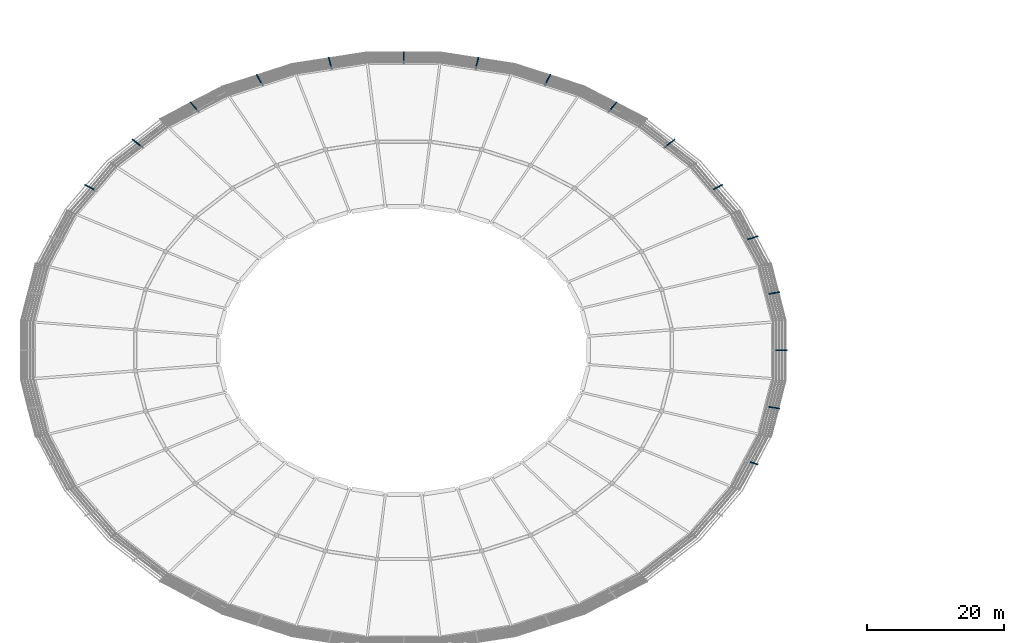
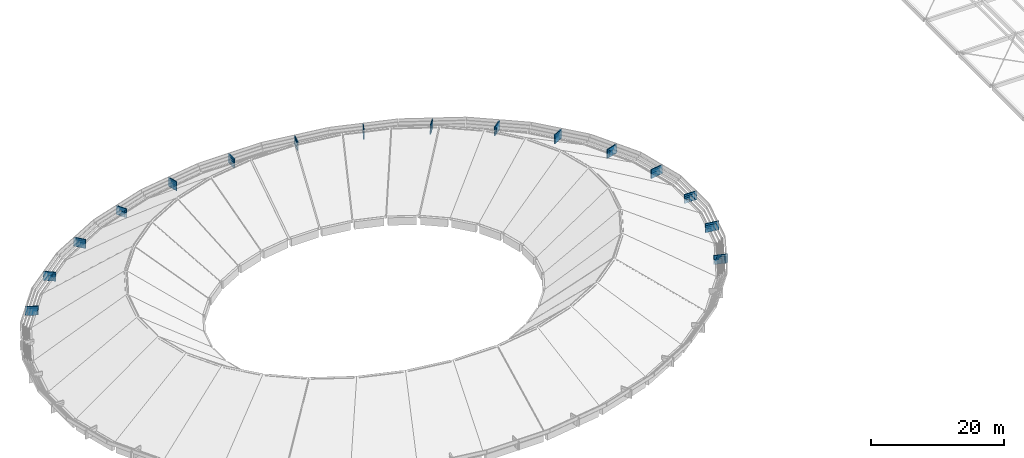
# One storey, part 11 of 15: 63 discrete accessories.
"""IFC4 building model written with IfcOpenShell, lengths in metres."""

from ifc_helpers import new_model, si_unit, direction, frame, origin, origin_2d, place, context, subcontext, project, spatial, rectangle, extrude, material, type_object, element, save


model = new_model("IFC4")

# Units and contexts
model_context = context("Model", 3, precision=1e-05, world=origin(), true_north=direction((0.0, 1.0)))
body_context = subcontext(model_context, "Body", "Model", "MODEL_VIEW")
ifc_project = project(units=[si_unit("LENGTHUNIT", "METRE"), si_unit("AREAUNIT", "SQUARE_METRE"), si_unit("VOLUMEUNIT", "CUBIC_METRE"), si_unit("PLANEANGLEUNIT", "RADIAN"), si_unit("MASSUNIT", "GRAM", prefix="KILO")], contexts=[model_context])

# Site, building, storey
site_placement = place(None, origin())
site = spatial("IfcSite", under=ifc_project, at=site_placement, CompositionType="ELEMENT")
building_placement = place(site_placement, origin())
building = spatial("IfcBuilding", under=site, at=building_placement, Name="Corvandel Quay Wholesale Market", CompositionType="ELEMENT")
storey_placement = place(building_placement, frame((0.0, 0.0, 19.199951171875)))
storey = spatial("IfcBuildingStorey", under=building, at=storey_placement, Name="RF", CompositionType="ELEMENT", Elevation=19.199951171875)

# Discrete accessories
ifc_material = material(Name="Austenitic stainless steel Grade 316", Category="steel")
discrete_accessory_type = type_object("IfcDiscreteAccessoryType", Name="Stainless Solar Fin Fixing Bracket BRK01", PredefinedType="USERDEFINED", material=ifc_material)
discrete_accessory_1_placement = place(storey_placement, frame((167.194091796875, 50.229736328125, -4.85009765625), z_axis=(0.0, 0.0, 1.0), x_axis=(0.98825506746, 0.152813355565, 0.0)))
element("IfcDiscreteAccessory", 1, at=discrete_accessory_1_placement, inside=storey, type_object=discrete_accessory_type, Name="Fascia Outrigger Bracket 0290", ObjectType="BRACKET", PredefinedType="USERDEFINED", context=body_context, shape_type="SweptSolid", body=[
    extrude(rectangle(XDim=0.868896484375, YDim=0.159912109375, at=origin_2d()), origin(), (0.0, 0.0, 1.0), 0.6201171875),
])
discrete_accessory_2_placement = place(storey_placement, frame((164.10791015625, 58.14306640625, -4.85009765625), z_axis=(0.0, 0.0, 1.0), x_axis=(0.951487058208, 0.307688768178, 0.0)))
element("IfcDiscreteAccessory", 2, at=discrete_accessory_2_placement, inside=storey, type_object=discrete_accessory_type, Name="Fascia Outrigger Bracket 0291", ObjectType="BRACKET", PredefinedType="USERDEFINED", context=body_context, shape_type="SweptSolid", body=[
    extrude(rectangle(XDim=0.85888671875, YDim=0.159912109375, at=origin_2d()), origin(), (0.0, 0.0, 1.0), 0.6201171875),
])
discrete_accessory_3_placement = place(storey_placement, frame((159.0966796875, 65.4365234375, -4.85009765625), z_axis=(0.0, 0.0, 1.0), x_axis=(0.886365246062, 0.462986663495, 0.0)))
element("IfcDiscreteAccessory", 3, at=discrete_accessory_3_placement, inside=storey, type_object=discrete_accessory_type, Name="Fascia Outrigger Bracket 0292", ObjectType="BRACKET", PredefinedType="USERDEFINED", context=body_context, shape_type="SweptSolid", body=[
    extrude(rectangle(XDim=0.844970703125, YDim=0.159912109375, at=origin_2d()), origin(), (0.0, 0.0, 1.0), 0.6201171875),
])
discrete_accessory_4_placement = place(storey_placement, frame((152.352294921875, 71.829833984375, -4.85009765625), z_axis=(0.0, 0.0, 1.0), x_axis=(0.788333005168, 0.615248789485, 0.0)))
element("IfcDiscreteAccessory", 4, at=discrete_accessory_4_placement, inside=storey, type_object=discrete_accessory_type, Name="Fascia Outrigger Bracket 0293", ObjectType="BRACKET", PredefinedType="USERDEFINED", context=body_context, shape_type="SweptSolid", body=[
    extrude(rectangle(XDim=0.826904296875, YDim=0.159912109375, at=origin_2d()), origin(), (0.0, 0.0, 1.0), 0.6201171875),
])
discrete_accessory_5_placement = place(storey_placement, frame((144.1337890625, 77.076904296875, -4.85009765625), z_axis=(0.0, 0.0, 1.0), x_axis=(0.650641689512, 0.759384877298, 0.0)))
element("IfcDiscreteAccessory", 5, at=discrete_accessory_5_placement, inside=storey, type_object=discrete_accessory_type, Name="Fascia Outrigger Bracket 0294", ObjectType="BRACKET", PredefinedType="USERDEFINED", context=body_context, shape_type="SweptSolid", body=[
    extrude(rectangle(XDim=0.80810546875, YDim=0.159912109375, at=origin_2d()), origin(), (0.0, 0.0, 1.0), 0.6201171875),
])
discrete_accessory_6_placement = place(storey_placement, frame((134.757080078125, 80.97607421875, -4.85009765625), z_axis=(0.0, 0.0, 1.0), x_axis=(0.46931745221, 0.883029517656, 0.0)))
element("IfcDiscreteAccessory", 6, at=discrete_accessory_6_placement, inside=storey, type_object=discrete_accessory_type, Name="Fascia Outrigger Bracket 0295", ObjectType="BRACKET", PredefinedType="USERDEFINED", context=body_context, shape_type="SweptSolid", body=[
    extrude(rectangle(XDim=0.7919921875, YDim=0.159912109375, at=origin_2d()), origin(), (0.0, 0.0, 1.0), 0.6201171875),
])
discrete_accessory_7_placement = place(storey_placement, frame((124.581787109375, 83.377197265625, -4.85009765625), z_axis=(0.0, 0.0, 1.0), x_axis=(0.246999012723, 0.969015731407, 0.0)))
element("IfcDiscreteAccessory", 7, at=discrete_accessory_7_placement, inside=storey, type_object=discrete_accessory_type, Name="Fascia Outrigger Bracket 0296", ObjectType="BRACKET", PredefinedType="USERDEFINED", context=body_context, shape_type="SweptSolid", body=[
    extrude(rectangle(XDim=0.780029296875, YDim=0.159912109375, at=origin_2d()), origin(), (0.0, 0.0, 1.0), 0.6201171875),
])
discrete_accessory_8_placement = place(storey_placement, frame((114.0, 84.18798828125, -4.85009765625), z_axis=(0.0, 0.0, 1.0), x_axis=(0.0, 1.0, 0.0)))
element("IfcDiscreteAccessory", 8, at=discrete_accessory_8_placement, inside=storey, type_object=discrete_accessory_type, Name="Fascia Outrigger Bracket 0297", ObjectType="BRACKET", PredefinedType="USERDEFINED", context=body_context, shape_type="SweptSolid", body=[
    extrude(rectangle(XDim=0.77587890625, YDim=0.159912109375, at=origin_2d()), origin(), (0.0, 0.0, 1.0), 0.6201171875),
])
discrete_accessory_9_placement = place(storey_placement, frame((103.418212890625, 83.377197265625, -4.85009765625), z_axis=(0.0, 0.0, 1.0), x_axis=(-0.246999012723, 0.969015731407, 0.0)))
element("IfcDiscreteAccessory", 9, at=discrete_accessory_9_placement, inside=storey, type_object=discrete_accessory_type, Name="Fascia Outrigger Bracket 0298", ObjectType="BRACKET", PredefinedType="USERDEFINED", context=body_context, shape_type="SweptSolid", body=[
    extrude(rectangle(XDim=0.780029296875, YDim=0.159912109375, at=origin_2d()), origin(), (0.0, 0.0, 1.0), 0.6201171875),
])
discrete_accessory_10_placement = place(storey_placement, frame((93.242919921875, 80.97607421875, -4.85009765625), z_axis=(0.0, 0.0, 1.0), x_axis=(-0.46931745221, 0.883029517656, 0.0)))
element("IfcDiscreteAccessory", 10, at=discrete_accessory_10_placement, inside=storey, type_object=discrete_accessory_type, Name="Fascia Outrigger Bracket 0299", ObjectType="BRACKET", PredefinedType="USERDEFINED", context=body_context, shape_type="SweptSolid", body=[
    extrude(rectangle(XDim=0.7919921875, YDim=0.159912109375, at=origin_2d()), origin(), (0.0, 0.0, 1.0), 0.6201171875),
])
discrete_accessory_11_placement = place(storey_placement, frame((83.8662109375, 77.076904296875, -4.85009765625), z_axis=(0.0, 0.0, 1.0), x_axis=(-0.650641689512, 0.759384877298, 0.0)))
element("IfcDiscreteAccessory", 11, at=discrete_accessory_11_placement, inside=storey, type_object=discrete_accessory_type, Name="Fascia Outrigger Bracket 0300", ObjectType="BRACKET", PredefinedType="USERDEFINED", context=body_context, shape_type="SweptSolid", body=[
    extrude(rectangle(XDim=0.80810546875, YDim=0.159912109375, at=origin_2d()), origin(), (0.0, 0.0, 1.0), 0.6201171875),
])
discrete_accessory_12_placement = place(storey_placement, frame((75.647705078125, 71.829833984375, -4.85009765625), z_axis=(0.0, 0.0, 1.0), x_axis=(-0.788333005168, 0.615248789485, 0.0)))
element("IfcDiscreteAccessory", 12, at=discrete_accessory_12_placement, inside=storey, type_object=discrete_accessory_type, Name="Fascia Outrigger Bracket 0301", ObjectType="BRACKET", PredefinedType="USERDEFINED", context=body_context, shape_type="SweptSolid", body=[
    extrude(rectangle(XDim=0.826904296875, YDim=0.159912109375, at=origin_2d()), origin(), (0.0, 0.0, 1.0), 0.6201171875),
])
discrete_accessory_13_placement = place(storey_placement, frame((68.9033203125, 65.4365234375, -4.85009765625), z_axis=(0.0, 0.0, 1.0), x_axis=(-0.886365246062, 0.462986663495, 0.0)))
element("IfcDiscreteAccessory", 13, at=discrete_accessory_13_placement, inside=storey, type_object=discrete_accessory_type, Name="Fascia Outrigger Bracket 0302", ObjectType="BRACKET", PredefinedType="USERDEFINED", context=body_context, shape_type="SweptSolid", body=[
    extrude(rectangle(XDim=0.844970703125, YDim=0.159912109375, at=origin_2d()), origin(), (0.0, 0.0, 1.0), 0.6201171875),
])
discrete_accessory_14_placement = place(storey_placement, frame((167.194091796875, 33.770263671875, -4.85009765625), z_axis=(0.0, 0.0, 1.0), x_axis=(-0.98825506746, 0.152813355565, 0.0)))
element("IfcDiscreteAccessory", 14, at=discrete_accessory_14_placement, inside=storey, type_object=discrete_accessory_type, Name="Fascia Outrigger Bracket 0320", ObjectType="BRACKET", PredefinedType="USERDEFINED", context=body_context, shape_type="SweptSolid", body=[
    extrude(rectangle(XDim=0.868896484375, YDim=0.159912109375, at=origin_2d()), origin(), (0.0, 0.0, 1.0), 0.6201171875),
])
discrete_accessory_15_placement = place(storey_placement, frame((168.236083984375, 42.0, -4.85009765625), z_axis=(0.0, 0.0, 1.0), x_axis=(1.0, 0.0, 0.0)))
element("IfcDiscreteAccessory", 15, at=discrete_accessory_15_placement, inside=storey, type_object=discrete_accessory_type, Name="Fascia Outrigger Bracket 0321", ObjectType="BRACKET", PredefinedType="USERDEFINED", context=body_context, shape_type="SweptSolid", body=[
    extrude(rectangle(XDim=0.8720703125, YDim=0.159912109375, at=origin_2d()), origin(), (0.0, 0.0, 1.0), 0.6201171875),
])
discrete_accessory_16_placement = place(storey_placement, frame((167.40625, 50.2626953125, -4.849853515625), z_axis=(0.0, 0.0, 1.0), x_axis=(0.98825506746, 0.152813355565, 0.0)))
element("IfcDiscreteAccessory", 16, at=discrete_accessory_16_placement, inside=storey, type_object=discrete_accessory_type, Name="Fascia Outrigger Bracket 0322", ObjectType="BRACKET", PredefinedType="USERDEFINED", context=body_context, shape_type="SweptSolid", body=[
    extrude(rectangle(XDim=1.298095703125, YDim=0.159912109375, at=origin_2d()), origin(), (0.0, 0.0, 1.0), 0.9599609375),
])
discrete_accessory_17_placement = place(storey_placement, frame((164.307861328125, 58.20751953125, -4.849853515625), z_axis=(0.0, 0.0, 1.0), x_axis=(0.951755204978, 0.306858322026, 0.0)))
element("IfcDiscreteAccessory", 17, at=discrete_accessory_17_placement, inside=storey, type_object=discrete_accessory_type, Name="Fascia Outrigger Bracket 0323", ObjectType="BRACKET", PredefinedType="USERDEFINED", context=body_context, shape_type="SweptSolid", body=[
    extrude(rectangle(XDim=1.279052734375, YDim=0.159912109375, at=origin_2d()), origin(), (0.0, 0.0, 1.0), 0.9599609375),
])
discrete_accessory_18_placement = place(storey_placement, frame((159.276611328125, 65.52978515625, -4.849853515625), z_axis=(0.0, 0.0, 1.0), x_axis=(0.887010833178, 0.461748613235, 0.0)))
element("IfcDiscreteAccessory", 18, at=discrete_accessory_18_placement, inside=storey, type_object=discrete_accessory_type, Name="Fascia Outrigger Bracket 0324", ObjectType="BRACKET", PredefinedType="USERDEFINED", context=body_context, shape_type="SweptSolid", body=[
    extrude(rectangle(XDim=1.25, YDim=0.159912109375, at=origin_2d()), origin(), (0.0, 0.0, 1.0), 0.9599609375),
])
discrete_accessory_19_placement = place(storey_placement, frame((152.505126953125, 71.948486328125, -4.849853515625), z_axis=(0.0, 0.0, 1.0), x_axis=(0.789191285809, 0.61414746959, 0.0)))
element("IfcDiscreteAccessory", 19, at=discrete_accessory_19_placement, inside=storey, type_object=discrete_accessory_type, Name="Fascia Outrigger Bracket 0325", ObjectType="BRACKET", PredefinedType="USERDEFINED", context=body_context, shape_type="SweptSolid", body=[
    extrude(rectangle(XDim=1.214111328125, YDim=0.159912109375, at=origin_2d()), origin(), (0.0, 0.0, 1.0), 0.9599609375),
])
discrete_accessory_20_placement = place(storey_placement, frame((144.25390625, 77.21630859375, -4.849853515625), z_axis=(0.0, 0.0, 1.0), x_axis=(0.651833725301, 0.758361915289, 0.0)))
element("IfcDiscreteAccessory", 20, at=discrete_accessory_20_placement, inside=storey, type_object=discrete_accessory_type, Name="Fascia Outrigger Bracket 0326", ObjectType="BRACKET", PredefinedType="USERDEFINED", context=body_context, shape_type="SweptSolid", body=[
    extrude(rectangle(XDim=1.176025390625, YDim=0.159912109375, at=origin_2d()), origin(), (0.0, 0.0, 1.0), 0.9599609375),
])
discrete_accessory_21_placement = place(storey_placement, frame((134.839599609375, 81.130859375, -4.849853515625), z_axis=(0.0, 0.0, 1.0), x_axis=(0.470087862033, 0.882619624736, 0.0)))
element("IfcDiscreteAccessory", 21, at=discrete_accessory_21_placement, inside=storey, type_object=discrete_accessory_type, Name="Fascia Outrigger Bracket 0327", ObjectType="BRACKET", PredefinedType="USERDEFINED", context=body_context, shape_type="SweptSolid", body=[
    extrude(rectangle(XDim=1.14306640625, YDim=0.159912109375, at=origin_2d()), origin(), (0.0, 0.0, 1.0), 0.9599609375),
])
discrete_accessory_22_placement = place(storey_placement, frame((124.624267578125, 83.541748046875, -4.849853515625), z_axis=(0.0, 0.0, 1.0), x_axis=(0.247675453076, 0.968843057437, 0.0)))
element("IfcDiscreteAccessory", 22, at=discrete_accessory_22_placement, inside=storey, type_object=discrete_accessory_type, Name="Fascia Outrigger Bracket 0328", ObjectType="BRACKET", PredefinedType="USERDEFINED", context=body_context, shape_type="SweptSolid", body=[
    extrude(rectangle(XDim=1.1201171875, YDim=0.159912109375, at=origin_2d()), origin(), (0.0, 0.0, 1.0), 0.9599609375),
])
discrete_accessory_23_placement = place(storey_placement, frame((114.0, 84.35595703125, -4.849853515625), z_axis=(0.0, 0.0, 1.0), x_axis=(0.0, 1.0, 0.0)))
element("IfcDiscreteAccessory", 23, at=discrete_accessory_23_placement, inside=storey, type_object=discrete_accessory_type, Name="Fascia Outrigger Bracket 0329", ObjectType="BRACKET", PredefinedType="USERDEFINED", context=body_context, shape_type="SweptSolid", body=[
    extrude(rectangle(XDim=1.112060546875, YDim=0.159912109375, at=origin_2d()), origin(), (0.0, 0.0, 1.0), 0.9599609375),
])
discrete_accessory_24_placement = place(storey_placement, frame((103.375732421875, 83.541748046875, -4.849853515625), z_axis=(0.0, 0.0, 1.0), x_axis=(-0.247675453076, 0.968843057437, 0.0)))
element("IfcDiscreteAccessory", 24, at=discrete_accessory_24_placement, inside=storey, type_object=discrete_accessory_type, Name="Fascia Outrigger Bracket 0330", ObjectType="BRACKET", PredefinedType="USERDEFINED", context=body_context, shape_type="SweptSolid", body=[
    extrude(rectangle(XDim=1.1201171875, YDim=0.159912109375, at=origin_2d()), origin(), (0.0, 0.0, 1.0), 0.9599609375),
])
discrete_accessory_25_placement = place(storey_placement, frame((93.160400390625, 81.130859375, -4.849853515625), z_axis=(0.0, 0.0, 1.0), x_axis=(-0.470087862033, 0.882619624736, 0.0)))
element("IfcDiscreteAccessory", 25, at=discrete_accessory_25_placement, inside=storey, type_object=discrete_accessory_type, Name="Fascia Outrigger Bracket 0331", ObjectType="BRACKET", PredefinedType="USERDEFINED", context=body_context, shape_type="SweptSolid", body=[
    extrude(rectangle(XDim=1.14306640625, YDim=0.159912109375, at=origin_2d()), origin(), (0.0, 0.0, 1.0), 0.9599609375),
])
discrete_accessory_26_placement = place(storey_placement, frame((83.74609375, 77.21630859375, -4.849853515625), z_axis=(0.0, 0.0, 1.0), x_axis=(-0.651833725301, 0.758361915289, 0.0)))
element("IfcDiscreteAccessory", 26, at=discrete_accessory_26_placement, inside=storey, type_object=discrete_accessory_type, Name="Fascia Outrigger Bracket 0332", ObjectType="BRACKET", PredefinedType="USERDEFINED", context=body_context, shape_type="SweptSolid", body=[
    extrude(rectangle(XDim=1.176025390625, YDim=0.159912109375, at=origin_2d()), origin(), (0.0, 0.0, 1.0), 0.9599609375),
])
discrete_accessory_27_placement = place(storey_placement, frame((75.494873046875, 71.948486328125, -4.849853515625), z_axis=(0.0, 0.0, 1.0), x_axis=(-0.789191285809, 0.61414746959, 0.0)))
element("IfcDiscreteAccessory", 27, at=discrete_accessory_27_placement, inside=storey, type_object=discrete_accessory_type, Name="Fascia Outrigger Bracket 0333", ObjectType="BRACKET", PredefinedType="USERDEFINED", context=body_context, shape_type="SweptSolid", body=[
    extrude(rectangle(XDim=1.214111328125, YDim=0.159912109375, at=origin_2d()), origin(), (0.0, 0.0, 1.0), 0.9599609375),
])
discrete_accessory_28_placement = place(storey_placement, frame((68.723388671875, 65.52978515625, -4.849853515625), z_axis=(0.0, 0.0, 1.0), x_axis=(-0.887010833178, 0.461748613235, 0.0)))
element("IfcDiscreteAccessory", 28, at=discrete_accessory_28_placement, inside=storey, type_object=discrete_accessory_type, Name="Fascia Outrigger Bracket 0334", ObjectType="BRACKET", PredefinedType="USERDEFINED", context=body_context, shape_type="SweptSolid", body=[
    extrude(rectangle(XDim=1.25, YDim=0.159912109375, at=origin_2d()), origin(), (0.0, 0.0, 1.0), 0.9599609375),
])
discrete_accessory_29_placement = place(storey_placement, frame((164.307861328125, 25.79248046875, -4.849853515625), z_axis=(0.0, 0.0, 1.0), x_axis=(-0.951755204978, 0.306858322026, 0.0)))
element("IfcDiscreteAccessory", 29, at=discrete_accessory_29_placement, inside=storey, type_object=discrete_accessory_type, Name="Fascia Outrigger Bracket 0351", ObjectType="BRACKET", PredefinedType="USERDEFINED", context=body_context, shape_type="SweptSolid", body=[
    extrude(rectangle(XDim=1.279052734375, YDim=0.159912109375, at=origin_2d()), origin(), (0.0, 0.0, 1.0), 0.9599609375),
])
discrete_accessory_30_placement = place(storey_placement, frame((167.40625, 33.7373046875, -4.849853515625), z_axis=(0.0, 0.0, 1.0), x_axis=(-0.98825506746, 0.152813355565, 0.0)))
element("IfcDiscreteAccessory", 30, at=discrete_accessory_30_placement, inside=storey, type_object=discrete_accessory_type, Name="Fascia Outrigger Bracket 0352", ObjectType="BRACKET", PredefinedType="USERDEFINED", context=body_context, shape_type="SweptSolid", body=[
    extrude(rectangle(XDim=1.298095703125, YDim=0.159912109375, at=origin_2d()), origin(), (0.0, 0.0, 1.0), 0.9599609375),
])
discrete_accessory_31_placement = place(storey_placement, frame((168.451904296875, 42.0, -4.849853515625), z_axis=(0.0, 0.0, 1.0), x_axis=(1.0, 0.0, 0.0)))
element("IfcDiscreteAccessory", 31, at=discrete_accessory_31_placement, inside=storey, type_object=discrete_accessory_type, Name="Fascia Outrigger Bracket 0353", ObjectType="BRACKET", PredefinedType="USERDEFINED", context=body_context, shape_type="SweptSolid", body=[
    extrude(rectangle(XDim=1.303955078125, YDim=0.159912109375, at=origin_2d()), origin(), (0.0, 0.0, 1.0), 0.9599609375),
])
discrete_accessory_32_placement = place(storey_placement, frame((167.61767578125, 50.29541015625, -4.85009765625), z_axis=(0.0, 0.0, 1.0), x_axis=(0.98825506746, 0.152813355565, 0.0)))
element("IfcDiscreteAccessory", 32, at=discrete_accessory_32_placement, inside=storey, type_object=discrete_accessory_type, Name="Fascia Outrigger Bracket 0354", ObjectType="BRACKET", PredefinedType="USERDEFINED", context=body_context, shape_type="SweptSolid", body=[
    extrude(rectangle(XDim=1.72607421875, YDim=0.159912109375, at=origin_2d()), origin(), (0.0, 0.0, 1.0), 1.300048828125),
])
discrete_accessory_33_placement = place(storey_placement, frame((164.507080078125, 58.271484375, -4.85009765625), z_axis=(0.0, 0.0, 1.0), x_axis=(0.951755204978, 0.306858322026, 0.0)))
element("IfcDiscreteAccessory", 33, at=discrete_accessory_33_placement, inside=storey, type_object=discrete_accessory_type, Name="Fascia Outrigger Bracket 0355", ObjectType="BRACKET", PredefinedType="USERDEFINED", context=body_context, shape_type="SweptSolid", body=[
    extrude(rectangle(XDim=1.697998046875, YDim=0.159912109375, at=origin_2d()), origin(), (0.0, 0.0, 1.0), 1.300048828125),
])
discrete_accessory_34_placement = place(storey_placement, frame((159.456298828125, 65.623046875, -4.85009765625), z_axis=(0.0, 0.0, 1.0), x_axis=(0.887171959808, 0.461438959919, 0.0)))
element("IfcDiscreteAccessory", 34, at=discrete_accessory_34_placement, inside=storey, type_object=discrete_accessory_type, Name="Fascia Outrigger Bracket 0356", ObjectType="BRACKET", PredefinedType="USERDEFINED", context=body_context, shape_type="SweptSolid", body=[
    extrude(rectangle(XDim=1.655029296875, YDim=0.159912109375, at=origin_2d()), origin(), (0.0, 0.0, 1.0), 1.300048828125),
])
discrete_accessory_35_placement = place(storey_placement, frame((152.65771484375, 72.06689453125, -4.85009765625), z_axis=(0.0, 0.0, 1.0), x_axis=(0.789298462742, 0.614009720373, 0.0)))
element("IfcDiscreteAccessory", 35, at=discrete_accessory_35_placement, inside=storey, type_object=discrete_accessory_type, Name="Fascia Outrigger Bracket 0357", ObjectType="BRACKET", PredefinedType="USERDEFINED", context=body_context, shape_type="SweptSolid", body=[
    extrude(rectangle(XDim=1.60009765625, YDim=0.159912109375, at=origin_2d()), origin(), (0.0, 0.0, 1.0), 1.300048828125),
])
discrete_accessory_36_placement = place(storey_placement, frame((144.373779296875, 77.35595703125, -4.85009765625), z_axis=(0.0, 0.0, 1.0), x_axis=(0.65170135625, 0.758475670184, 0.0)))
element("IfcDiscreteAccessory", 36, at=discrete_accessory_36_placement, inside=storey, type_object=discrete_accessory_type, Name="Fascia Outrigger Bracket 0358", ObjectType="BRACKET", PredefinedType="USERDEFINED", context=body_context, shape_type="SweptSolid", body=[
    extrude(rectangle(XDim=1.5439453125, YDim=0.159912109375, at=origin_2d()), origin(), (0.0, 0.0, 1.0), 1.300048828125),
])
discrete_accessory_37_placement = place(storey_placement, frame((134.922119140625, 81.286376953125, -4.85009765625), z_axis=(0.0, 0.0, 1.0), x_axis=(0.46977974103, 0.88278366258, 0.0)))
element("IfcDiscreteAccessory", 37, at=discrete_accessory_37_placement, inside=storey, type_object=discrete_accessory_type, Name="Fascia Outrigger Bracket 0359", ObjectType="BRACKET", PredefinedType="USERDEFINED", context=body_context, shape_type="SweptSolid", body=[
    extrude(rectangle(XDim=1.4951171875, YDim=0.159912109375, at=origin_2d()), origin(), (0.0, 0.0, 1.0), 1.300048828125),
])
discrete_accessory_38_placement = place(storey_placement, frame((124.666259765625, 83.70654296875, -4.85009765625), z_axis=(0.0, 0.0, 1.0), x_axis=(0.247506354292, 0.968886270202, 0.0)))
element("IfcDiscreteAccessory", 38, at=discrete_accessory_38_placement, inside=storey, type_object=discrete_accessory_type, Name="Fascia Outrigger Bracket 0360", ObjectType="BRACKET", PredefinedType="USERDEFINED", context=body_context, shape_type="SweptSolid", body=[
    extrude(rectangle(XDim=1.4599609375, YDim=0.159912109375, at=origin_2d()), origin(), (0.0, 0.0, 1.0), 1.300048828125),
])
discrete_accessory_39_placement = place(storey_placement, frame((114.0, 84.52392578125, -4.85009765625), z_axis=(0.0, 0.0, 1.0), x_axis=(0.0, 1.0, 0.0)))
element("IfcDiscreteAccessory", 39, at=discrete_accessory_39_placement, inside=storey, type_object=discrete_accessory_type, Name="Fascia Outrigger Bracket 0361", ObjectType="BRACKET", PredefinedType="USERDEFINED", context=body_context, shape_type="SweptSolid", body=[
    extrude(rectangle(XDim=1.447998046875, YDim=0.159912109375, at=origin_2d()), origin(), (0.0, 0.0, 1.0), 1.300048828125),
])
discrete_accessory_40_placement = place(storey_placement, frame((103.333740234375, 83.70654296875, -4.85009765625), z_axis=(0.0, 0.0, 1.0), x_axis=(-0.247506354292, 0.968886270202, 0.0)))
element("IfcDiscreteAccessory", 40, at=discrete_accessory_40_placement, inside=storey, type_object=discrete_accessory_type, Name="Fascia Outrigger Bracket 0362", ObjectType="BRACKET", PredefinedType="USERDEFINED", context=body_context, shape_type="SweptSolid", body=[
    extrude(rectangle(XDim=1.4599609375, YDim=0.159912109375, at=origin_2d()), origin(), (0.0, 0.0, 1.0), 1.300048828125),
])
discrete_accessory_41_placement = place(storey_placement, frame((93.077880859375, 81.286376953125, -4.85009765625), z_axis=(0.0, 0.0, 1.0), x_axis=(-0.46977974103, 0.88278366258, 0.0)))
element("IfcDiscreteAccessory", 41, at=discrete_accessory_41_placement, inside=storey, type_object=discrete_accessory_type, Name="Fascia Outrigger Bracket 0363", ObjectType="BRACKET", PredefinedType="USERDEFINED", context=body_context, shape_type="SweptSolid", body=[
    extrude(rectangle(XDim=1.4951171875, YDim=0.159912109375, at=origin_2d()), origin(), (0.0, 0.0, 1.0), 1.300048828125),
])
discrete_accessory_42_placement = place(storey_placement, frame((83.626220703125, 77.35595703125, -4.85009765625), z_axis=(0.0, 0.0, 1.0), x_axis=(-0.65170135625, 0.758475670184, 0.0)))
element("IfcDiscreteAccessory", 42, at=discrete_accessory_42_placement, inside=storey, type_object=discrete_accessory_type, Name="Fascia Outrigger Bracket 0364", ObjectType="BRACKET", PredefinedType="USERDEFINED", context=body_context, shape_type="SweptSolid", body=[
    extrude(rectangle(XDim=1.5439453125, YDim=0.159912109375, at=origin_2d()), origin(), (0.0, 0.0, 1.0), 1.300048828125),
])
discrete_accessory_43_placement = place(storey_placement, frame((75.34228515625, 72.06689453125, -4.85009765625), z_axis=(0.0, 0.0, 1.0), x_axis=(-0.789298462742, 0.614009720373, 0.0)))
element("IfcDiscreteAccessory", 43, at=discrete_accessory_43_placement, inside=storey, type_object=discrete_accessory_type, Name="Fascia Outrigger Bracket 0365", ObjectType="BRACKET", PredefinedType="USERDEFINED", context=body_context, shape_type="SweptSolid", body=[
    extrude(rectangle(XDim=1.60009765625, YDim=0.159912109375, at=origin_2d()), origin(), (0.0, 0.0, 1.0), 1.300048828125),
])
discrete_accessory_44_placement = place(storey_placement, frame((68.543701171875, 65.623046875, -4.85009765625), z_axis=(0.0, 0.0, 1.0), x_axis=(-0.887171959808, 0.461438959919, 0.0)))
element("IfcDiscreteAccessory", 44, at=discrete_accessory_44_placement, inside=storey, type_object=discrete_accessory_type, Name="Fascia Outrigger Bracket 0366", ObjectType="BRACKET", PredefinedType="USERDEFINED", context=body_context, shape_type="SweptSolid", body=[
    extrude(rectangle(XDim=1.655029296875, YDim=0.159912109375, at=origin_2d()), origin(), (0.0, 0.0, 1.0), 1.300048828125),
])
discrete_accessory_45_placement = place(storey_placement, frame((164.507080078125, 25.728515625, -4.85009765625), z_axis=(0.0, 0.0, 1.0), x_axis=(-0.951755204978, 0.306858322026, 0.0)))
element("IfcDiscreteAccessory", 45, at=discrete_accessory_45_placement, inside=storey, type_object=discrete_accessory_type, Name="Fascia Outrigger Bracket 0383", ObjectType="BRACKET", PredefinedType="USERDEFINED", context=body_context, shape_type="SweptSolid", body=[
    extrude(rectangle(XDim=1.697998046875, YDim=0.159912109375, at=origin_2d()), origin(), (0.0, 0.0, 1.0), 1.300048828125),
])
discrete_accessory_46_placement = place(storey_placement, frame((167.61767578125, 33.70458984375, -4.85009765625), z_axis=(0.0, 0.0, 1.0), x_axis=(-0.98825506746, 0.152813355565, 0.0)))
element("IfcDiscreteAccessory", 46, at=discrete_accessory_46_placement, inside=storey, type_object=discrete_accessory_type, Name="Fascia Outrigger Bracket 0384", ObjectType="BRACKET", PredefinedType="USERDEFINED", context=body_context, shape_type="SweptSolid", body=[
    extrude(rectangle(XDim=1.72607421875, YDim=0.159912109375, at=origin_2d()), origin(), (0.0, 0.0, 1.0), 1.300048828125),
])
discrete_accessory_47_placement = place(storey_placement, frame((168.66796875, 42.0, -4.85009765625), z_axis=(0.0, 0.0, 1.0), x_axis=(1.0, 0.0, 0.0)))
element("IfcDiscreteAccessory", 47, at=discrete_accessory_47_placement, inside=storey, type_object=discrete_accessory_type, Name="Fascia Outrigger Bracket 0385", ObjectType="BRACKET", PredefinedType="USERDEFINED", context=body_context, shape_type="SweptSolid", body=[
    extrude(rectangle(XDim=1.736083984375, YDim=0.159912109375, at=origin_2d()), origin(), (0.0, 0.0, 1.0), 1.300048828125),
])
discrete_accessory_48_placement = place(storey_placement, frame((167.82958984375, 50.328125, -4.85009765625), z_axis=(0.0, 0.0, 1.0), x_axis=(0.98825506746, 0.152813355565, 0.0)))
element("IfcDiscreteAccessory", 48, at=discrete_accessory_48_placement, inside=storey, type_object=discrete_accessory_type, Name="Fascia Outrigger Bracket 0386", ObjectType="BRACKET", PredefinedType="USERDEFINED", context=body_context, shape_type="SweptSolid", body=[
    extrude(rectangle(XDim=2.155029296875, YDim=0.159912109375, at=origin_2d()), origin(), (0.0, 0.0, 1.0), 1.639892578125),
])
discrete_accessory_49_placement = place(storey_placement, frame((164.70654296875, 58.335693359375, -4.85009765625), z_axis=(0.0, 0.0, 1.0), x_axis=(0.951808747363, 0.306692204733, 0.0)))
element("IfcDiscreteAccessory", 49, at=discrete_accessory_49_placement, inside=storey, type_object=discrete_accessory_type, Name="Fascia Outrigger Bracket 0387", ObjectType="BRACKET", PredefinedType="USERDEFINED", context=body_context, shape_type="SweptSolid", body=[
    extrude(rectangle(XDim=2.116943359375, YDim=0.159912109375, at=origin_2d()), origin(), (0.0, 0.0, 1.0), 1.639892578125),
])
discrete_accessory_50_placement = place(storey_placement, frame((159.635986328125, 65.71630859375, -4.85009765625), z_axis=(0.0, 0.0, 1.0), x_axis=(0.887252482586, 0.461284112175, 0.0)))
element("IfcDiscreteAccessory", 50, at=discrete_accessory_50_placement, inside=storey, type_object=discrete_accessory_type, Name="Fascia Outrigger Bracket 0388", ObjectType="BRACKET", PredefinedType="USERDEFINED", context=body_context, shape_type="SweptSolid", body=[
    extrude(rectangle(XDim=2.06005859375, YDim=0.159912109375, at=origin_2d()), origin(), (0.0, 0.0, 1.0), 1.639892578125),
])
discrete_accessory_51_placement = place(storey_placement, frame((152.810791015625, 72.185791015625, -4.85009765625), z_axis=(0.0, 0.0, 1.0), x_axis=(0.789512744476, 0.613734165832, 0.0)))
element("IfcDiscreteAccessory", 51, at=discrete_accessory_51_placement, inside=storey, type_object=discrete_accessory_type, Name="Fascia Outrigger Bracket 0389", ObjectType="BRACKET", PredefinedType="USERDEFINED", context=body_context, shape_type="SweptSolid", body=[
    extrude(rectangle(XDim=1.988037109375, YDim=0.159912109375, at=origin_2d()), origin(), (0.0, 0.0, 1.0), 1.639892578125),
])
discrete_accessory_52_placement = place(storey_placement, frame((144.494140625, 77.49560546875, -4.85009765625), z_axis=(0.0, 0.0, 1.0), x_axis=(0.651833725301, 0.758361915289, 0.0)))
element("IfcDiscreteAccessory", 52, at=discrete_accessory_52_placement, inside=storey, type_object=discrete_accessory_type, Name="Fascia Outrigger Bracket 0390", ObjectType="BRACKET", PredefinedType="USERDEFINED", context=body_context, shape_type="SweptSolid", body=[
    extrude(rectangle(XDim=1.9130859375, YDim=0.159912109375, at=origin_2d()), origin(), (0.0, 0.0, 1.0), 1.639892578125),
])
discrete_accessory_53_placement = place(storey_placement, frame((135.0048828125, 81.441650390625, -4.85009765625), z_axis=(0.0, 0.0, 1.0), x_axis=(0.469933808689, 0.882701657102, 0.0)))
element("IfcDiscreteAccessory", 53, at=discrete_accessory_53_placement, inside=storey, type_object=discrete_accessory_type, Name="Fascia Outrigger Bracket 0391", ObjectType="BRACKET", PredefinedType="USERDEFINED", context=body_context, shape_type="SweptSolid", body=[
    extrude(rectangle(XDim=1.846923828125, YDim=0.159912109375, at=origin_2d()), origin(), (0.0, 0.0, 1.0), 1.639892578125),
])
discrete_accessory_54_placement = place(storey_placement, frame((124.70849609375, 83.87109375, -4.85009765625), z_axis=(0.0, 0.0, 1.0), x_axis=(0.247675453076, 0.968843057437, 0.0)))
element("IfcDiscreteAccessory", 54, at=discrete_accessory_54_placement, inside=storey, type_object=discrete_accessory_type, Name="Fascia Outrigger Bracket 0392", ObjectType="BRACKET", PredefinedType="USERDEFINED", context=body_context, shape_type="SweptSolid", body=[
    extrude(rectangle(XDim=1.800048828125, YDim=0.159912109375, at=origin_2d()), origin(), (0.0, 0.0, 1.0), 1.639892578125),
])
discrete_accessory_55_placement = place(storey_placement, frame((114.0, 84.69189453125, -4.85009765625), z_axis=(0.0, 0.0, 1.0), x_axis=(0.0, 1.0, 0.0)))
element("IfcDiscreteAccessory", 55, at=discrete_accessory_55_placement, inside=storey, type_object=discrete_accessory_type, Name="Fascia Outrigger Bracket 0393", ObjectType="BRACKET", PredefinedType="USERDEFINED", context=body_context, shape_type="SweptSolid", body=[
    extrude(rectangle(XDim=1.783935546875, YDim=0.159912109375, at=origin_2d()), origin(), (0.0, 0.0, 1.0), 1.639892578125),
])
discrete_accessory_56_placement = place(storey_placement, frame((103.29150390625, 83.87109375, -4.85009765625), z_axis=(0.0, 0.0, 1.0), x_axis=(-0.247675453076, 0.968843057437, 0.0)))
element("IfcDiscreteAccessory", 56, at=discrete_accessory_56_placement, inside=storey, type_object=discrete_accessory_type, Name="Fascia Outrigger Bracket 0394", ObjectType="BRACKET", PredefinedType="USERDEFINED", context=body_context, shape_type="SweptSolid", body=[
    extrude(rectangle(XDim=1.800048828125, YDim=0.159912109375, at=origin_2d()), origin(), (0.0, 0.0, 1.0), 1.639892578125),
])
discrete_accessory_57_placement = place(storey_placement, frame((92.9951171875, 81.441650390625, -4.85009765625), z_axis=(0.0, 0.0, 1.0), x_axis=(-0.469933808689, 0.882701657102, 0.0)))
element("IfcDiscreteAccessory", 57, at=discrete_accessory_57_placement, inside=storey, type_object=discrete_accessory_type, Name="Fascia Outrigger Bracket 0395", ObjectType="BRACKET", PredefinedType="USERDEFINED", context=body_context, shape_type="SweptSolid", body=[
    extrude(rectangle(XDim=1.846923828125, YDim=0.159912109375, at=origin_2d()), origin(), (0.0, 0.0, 1.0), 1.639892578125),
])
discrete_accessory_58_placement = place(storey_placement, frame((83.505859375, 77.49560546875, -4.85009765625), z_axis=(0.0, 0.0, 1.0), x_axis=(-0.651833725301, 0.758361915289, 0.0)))
element("IfcDiscreteAccessory", 58, at=discrete_accessory_58_placement, inside=storey, type_object=discrete_accessory_type, Name="Fascia Outrigger Bracket 0396", ObjectType="BRACKET", PredefinedType="USERDEFINED", context=body_context, shape_type="SweptSolid", body=[
    extrude(rectangle(XDim=1.9130859375, YDim=0.159912109375, at=origin_2d()), origin(), (0.0, 0.0, 1.0), 1.639892578125),
])
discrete_accessory_59_placement = place(storey_placement, frame((75.189208984375, 72.185791015625, -4.85009765625), z_axis=(0.0, 0.0, 1.0), x_axis=(-0.789512744476, 0.613734165832, 0.0)))
element("IfcDiscreteAccessory", 59, at=discrete_accessory_59_placement, inside=storey, type_object=discrete_accessory_type, Name="Fascia Outrigger Bracket 0397", ObjectType="BRACKET", PredefinedType="USERDEFINED", context=body_context, shape_type="SweptSolid", body=[
    extrude(rectangle(XDim=1.988037109375, YDim=0.159912109375, at=origin_2d()), origin(), (0.0, 0.0, 1.0), 1.639892578125),
])
discrete_accessory_60_placement = place(storey_placement, frame((68.364013671875, 65.71630859375, -4.85009765625), z_axis=(0.0, 0.0, 1.0), x_axis=(-0.887252482586, 0.461284112175, 0.0)))
element("IfcDiscreteAccessory", 60, at=discrete_accessory_60_placement, inside=storey, type_object=discrete_accessory_type, Name="Fascia Outrigger Bracket 0398", ObjectType="BRACKET", PredefinedType="USERDEFINED", context=body_context, shape_type="SweptSolid", body=[
    extrude(rectangle(XDim=2.06005859375, YDim=0.159912109375, at=origin_2d()), origin(), (0.0, 0.0, 1.0), 1.639892578125),
])
discrete_accessory_61_placement = place(storey_placement, frame((164.70654296875, 25.664306640625, -4.85009765625), z_axis=(0.0, 0.0, 1.0), x_axis=(-0.951808747363, 0.306692204733, 0.0)))
element("IfcDiscreteAccessory", 61, at=discrete_accessory_61_placement, inside=storey, type_object=discrete_accessory_type, Name="Fascia Outrigger Bracket 0415", ObjectType="BRACKET", PredefinedType="USERDEFINED", context=body_context, shape_type="SweptSolid", body=[
    extrude(rectangle(XDim=2.116943359375, YDim=0.159912109375, at=origin_2d()), origin(), (0.0, 0.0, 1.0), 1.639892578125),
])
discrete_accessory_62_placement = place(storey_placement, frame((167.82958984375, 33.671875, -4.85009765625), z_axis=(0.0, 0.0, 1.0), x_axis=(-0.98825506746, 0.152813355565, 0.0)))
element("IfcDiscreteAccessory", 62, at=discrete_accessory_62_placement, inside=storey, type_object=discrete_accessory_type, Name="Fascia Outrigger Bracket 0416", ObjectType="BRACKET", PredefinedType="USERDEFINED", context=body_context, shape_type="SweptSolid", body=[
    extrude(rectangle(XDim=2.155029296875, YDim=0.159912109375, at=origin_2d()), origin(), (0.0, 0.0, 1.0), 1.639892578125),
])
discrete_accessory_63_placement = place(storey_placement, frame((168.884033203125, 42.0, -4.85009765625), z_axis=(0.0, 0.0, 1.0), x_axis=(1.0, 0.0, 0.0)))
element("IfcDiscreteAccessory", 63, at=discrete_accessory_63_placement, inside=storey, type_object=discrete_accessory_type, Name="Fascia Outrigger Bracket 0417", ObjectType="BRACKET", PredefinedType="USERDEFINED", context=body_context, shape_type="SweptSolid", body=[
    extrude(rectangle(XDim=2.16796875, YDim=0.159912109375, at=origin_2d()), origin(), (0.0, 0.0, 1.0), 1.639892578125),
])

save(model, "model.ifc")
